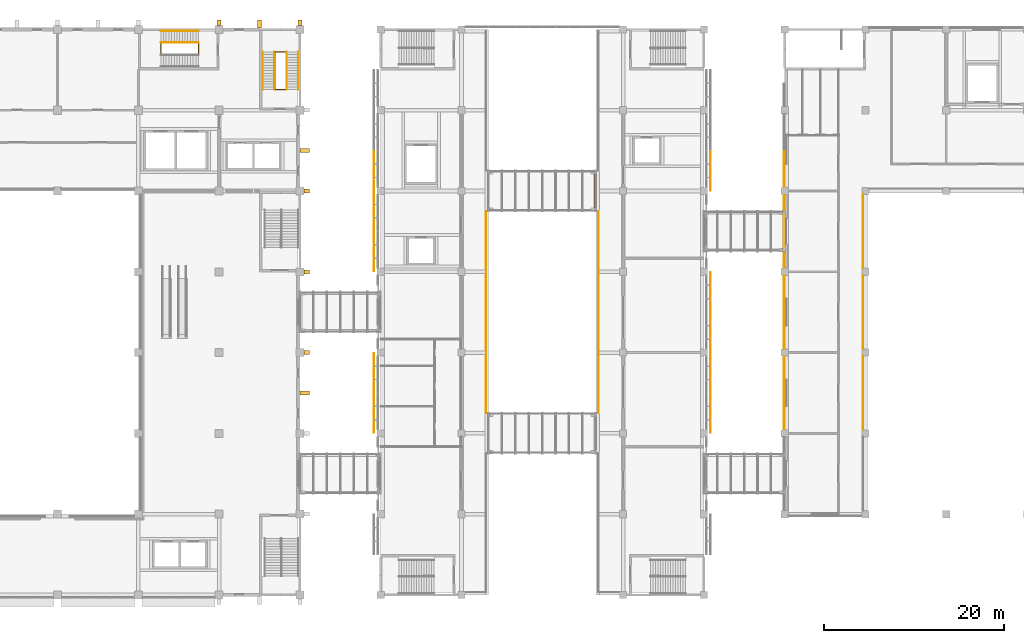
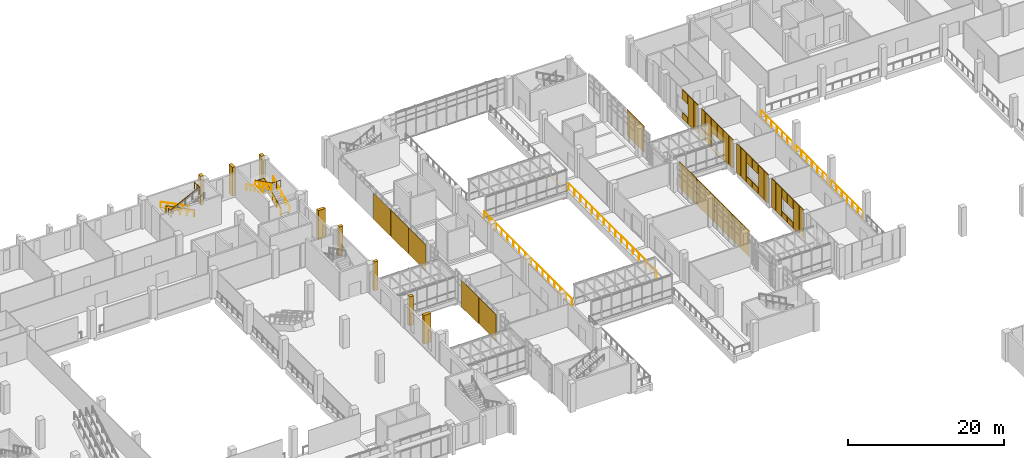
# One storey, part 82 of 88: 46 coverings, 13 railings.
"""IFC4 building model written with IfcOpenShell, lengths in metres."""

from ifc_helpers import new_model, si_unit, direction, frame, origin, origin_2d, place, context, subcontext, project, spatial, rectangle, circle, extrude, material, layer, layer_set, type_object, element, save


model = new_model("IFC4")

# Units and contexts
model_context = context("Model", 3, precision=1e-05, world=origin(), true_north=direction((0.0, 1.0)))
body_context = subcontext(model_context, "Body", "Model", "MODEL_VIEW")
ifc_project = project(units=[si_unit("LENGTHUNIT", "METRE"), si_unit("AREAUNIT", "SQUARE_METRE"), si_unit("VOLUMEUNIT", "CUBIC_METRE"), si_unit("PLANEANGLEUNIT", "RADIAN"), si_unit("MASSUNIT", "GRAM", prefix="KILO")], contexts=[model_context])

# Site, building, storey
site_placement = place(None, origin())
site = spatial("IfcSite", under=ifc_project, at=site_placement, CompositionType="ELEMENT")
building_placement = place(site_placement, origin())
building = spatial("IfcBuilding", under=site, at=building_placement, Name="Guidao Yard Department Store", CompositionType="ELEMENT")
storey_placement = place(building_placement, frame((0.0, 0.0, 6.0)))
storey = spatial("IfcBuildingStorey", under=building, at=storey_placement, Name="L01", CompositionType="ELEMENT", Elevation=6.0)

# Coverings
ifc_material_1 = material(Name="Stainless steel 316", Category="steel")
ifc_layer_1 = layer(ifc_material_1, 0.010009765625)
ifc_layer_set_1 = layer_set([ifc_layer_1], Name="Bridge joint cover JC1 stainless steel 10 x 335")
covering_type_1 = type_object("IfcCoveringType", Name="Bridge joint cover JC1 stainless steel 10 x 335", PredefinedType="FLOORING", material=ifc_layer_set_1)
for number, where, z_axis, x_axis, name in (
    (1, (116.9326171875, 85.5, 0.0), (0.0, 0.0, 1.0), (1.0, 0.0, 0.0), "Bridge joint cover plate BR07"),
    (2, (95.9326171875, 90.0, 0.0), (0.0, 0.0, 1.0), (1.0, 0.0, 0.0), "Bridge joint cover plate BR10"),
):
    element("IfcCovering", number, at=place(storey_placement, frame(where, z_axis=z_axis, x_axis=x_axis)), inside=storey, type_object=covering_type_1, Name=name, PredefinedType="FLOORING", context=body_context, shape_type="SweptSolid", body=[
        extrude(rectangle(XDim=0.3349609375, YDim=4.5, at=origin_2d()), origin(), (0.0, 0.0, 1.0), 0.010009765625),
    ])
ifc_material_2 = material(Name="Clinker brick", Category="masonry")
ifc_layer_2 = layer(ifc_material_2, 0.10009765625)
ifc_layer_set_2 = layer_set([ifc_layer_2], Name="Clinker brick panel BR1 on rainscreen")
covering_type_2 = type_object("IfcCoveringType", Name="Clinker brick panel BR1 on rainscreen", PredefinedType="CLADDING", material=ifc_layer_set_2)
covering_1_placement = place(storey_placement, frame((116.949951171875, 63.949951171875, 0.0), z_axis=(0.0, 0.0, 1.0), x_axis=(0.0, 1.0, 0.0)))
element("IfcCovering", 3, at=covering_1_placement, inside=storey, type_object=covering_type_2, Name="Clinker brick panel", PredefinedType="CLADDING", context=body_context, shape_type="SweptSolid", body=[
    extrude(rectangle(XDim=1.0, YDim=0.10009765625, at=origin_2d()), origin(), (0.0, 0.0, 1.0), 4.5),
])
covering_2_placement = place(storey_placement, frame((116.949951171875, 65.25, 0.0), z_axis=(0.0, 0.0, 1.0), x_axis=(0.0, 1.0, 0.0)))
element("IfcCovering", 4, at=covering_2_placement, inside=storey, type_object=covering_type_2, Name="Clinker brick panel", PredefinedType="CLADDING", context=body_context, shape_type="SweptSolid", body=[
    extrude(rectangle(XDim=1.39990234375, YDim=0.10009765625, at=origin_2d()), origin(), (0.0, 0.0, 1.0), 4.5),
])
covering_3_placement = place(storey_placement, frame((116.949951171875, 66.75, 0.0), z_axis=(0.0, 0.0, 1.0), x_axis=(0.0, 1.0, 0.0)))
element("IfcCovering", 5, at=covering_3_placement, inside=storey, type_object=covering_type_2, Name="Clinker brick panel", PredefinedType="CLADDING", context=body_context, shape_type="SweptSolid", body=[
    extrude(rectangle(XDim=1.39990234375, YDim=0.10009765625, at=origin_2d()), origin(), (0.0, 0.0, 1.0), 0.89990234375),
])
covering_4_placement = place(storey_placement, frame((116.949951171875, 66.75, 3.0), z_axis=(0.0, 0.0, 1.0), x_axis=(0.0, 1.0, 0.0)))
element("IfcCovering", 6, at=covering_4_placement, inside=storey, type_object=covering_type_2, Name="Clinker brick panel", PredefinedType="CLADDING", context=body_context, shape_type="SweptSolid", body=[
    extrude(rectangle(XDim=1.39990234375, YDim=0.10009765625, at=origin_2d()), origin(), (0.0, 0.0, 1.0), 1.5),
])
covering_5_placement = place(storey_placement, frame((116.949951171875, 68.25, 0.0), z_axis=(0.0, 0.0, 1.0), x_axis=(0.0, 1.0, 0.0)))
element("IfcCovering", 7, at=covering_5_placement, inside=storey, type_object=covering_type_2, Name="Clinker brick panel", PredefinedType="CLADDING", context=body_context, shape_type="SweptSolid", body=[
    extrude(rectangle(XDim=1.39990234375, YDim=0.10009765625, at=origin_2d()), origin(), (0.0, 0.0, 1.0), 0.89990234375),
])
covering_6_placement = place(storey_placement, frame((116.949951171875, 68.25, 3.0), z_axis=(0.0, 0.0, 1.0), x_axis=(0.0, 1.0, 0.0)))
element("IfcCovering", 8, at=covering_6_placement, inside=storey, type_object=covering_type_2, Name="Clinker brick panel", PredefinedType="CLADDING", context=body_context, shape_type="SweptSolid", body=[
    extrude(rectangle(XDim=1.39990234375, YDim=0.10009765625, at=origin_2d()), origin(), (0.0, 0.0, 1.0), 1.5),
])
covering_7_placement = place(storey_placement, frame((116.949951171875, 69.75, 0.0), z_axis=(0.0, 0.0, 1.0), x_axis=(0.0, 1.0, 0.0)))
element("IfcCovering", 9, at=covering_7_placement, inside=storey, type_object=covering_type_2, Name="Clinker brick panel", PredefinedType="CLADDING", context=body_context, shape_type="SweptSolid", body=[
    extrude(rectangle(XDim=1.39990234375, YDim=0.10009765625, at=origin_2d()), origin(), (0.0, 0.0, 1.0), 4.5),
])
for number, where, z_axis, x_axis, name in (
    (10, (116.949951171875, 71.050048828125, 0.0), (0.0, 0.0, 1.0), (0.0, 1.0, 0.0), "Clinker brick panel"),
    (11, (116.949951171875, 72.949951171875, 0.0), (0.0, 0.0, 1.0), (0.0, 1.0, 0.0), "Clinker brick panel"),
):
    element("IfcCovering", number, at=place(storey_placement, frame(where, z_axis=z_axis, x_axis=x_axis)), inside=storey, type_object=covering_type_2, Name=name, PredefinedType="CLADDING", context=body_context, shape_type="SweptSolid", body=[
        extrude(rectangle(XDim=1.0, YDim=0.10009765625, at=origin_2d()), origin(), (0.0, 0.0, 1.0), 4.5),
    ])
covering_8_placement = place(storey_placement, frame((116.949951171875, 74.25, 0.0), z_axis=(0.0, 0.0, 1.0), x_axis=(0.0, 1.0, 0.0)))
element("IfcCovering", 12, at=covering_8_placement, inside=storey, type_object=covering_type_2, Name="Clinker brick panel", PredefinedType="CLADDING", context=body_context, shape_type="SweptSolid", body=[
    extrude(rectangle(XDim=1.39990234375, YDim=0.10009765625, at=origin_2d()), origin(), (0.0, 0.0, 1.0), 4.5),
])
covering_9_placement = place(storey_placement, frame((116.949951171875, 75.75, 0.0), z_axis=(0.0, 0.0, 1.0), x_axis=(0.0, 1.0, 0.0)))
element("IfcCovering", 13, at=covering_9_placement, inside=storey, type_object=covering_type_2, Name="Clinker brick panel", PredefinedType="CLADDING", context=body_context, shape_type="SweptSolid", body=[
    extrude(rectangle(XDim=1.39990234375, YDim=0.10009765625, at=origin_2d()), origin(), (0.0, 0.0, 1.0), 0.89990234375),
])
covering_10_placement = place(storey_placement, frame((116.949951171875, 75.75, 3.0), z_axis=(0.0, 0.0, 1.0), x_axis=(0.0, 1.0, 0.0)))
element("IfcCovering", 14, at=covering_10_placement, inside=storey, type_object=covering_type_2, Name="Clinker brick panel", PredefinedType="CLADDING", context=body_context, shape_type="SweptSolid", body=[
    extrude(rectangle(XDim=1.39990234375, YDim=0.10009765625, at=origin_2d()), origin(), (0.0, 0.0, 1.0), 1.5),
])
covering_11_placement = place(storey_placement, frame((116.949951171875, 77.25, 0.0), z_axis=(0.0, 0.0, 1.0), x_axis=(0.0, 1.0, 0.0)))
element("IfcCovering", 15, at=covering_11_placement, inside=storey, type_object=covering_type_2, Name="Clinker brick panel", PredefinedType="CLADDING", context=body_context, shape_type="SweptSolid", body=[
    extrude(rectangle(XDim=1.39990234375, YDim=0.10009765625, at=origin_2d()), origin(), (0.0, 0.0, 1.0), 0.89990234375),
])
covering_12_placement = place(storey_placement, frame((116.949951171875, 77.25, 3.0), z_axis=(0.0, 0.0, 1.0), x_axis=(0.0, 1.0, 0.0)))
element("IfcCovering", 16, at=covering_12_placement, inside=storey, type_object=covering_type_2, Name="Clinker brick panel", PredefinedType="CLADDING", context=body_context, shape_type="SweptSolid", body=[
    extrude(rectangle(XDim=1.39990234375, YDim=0.10009765625, at=origin_2d()), origin(), (0.0, 0.0, 1.0), 1.5),
])
covering_13_placement = place(storey_placement, frame((116.949951171875, 78.75, 0.0), z_axis=(0.0, 0.0, 1.0), x_axis=(0.0, 1.0, 0.0)))
element("IfcCovering", 17, at=covering_13_placement, inside=storey, type_object=covering_type_2, Name="Clinker brick panel", PredefinedType="CLADDING", context=body_context, shape_type="SweptSolid", body=[
    extrude(rectangle(XDim=1.39990234375, YDim=0.10009765625, at=origin_2d()), origin(), (0.0, 0.0, 1.0), 4.5),
])
for number, where, z_axis, x_axis, name in (
    (18, (116.949951171875, 80.050048828125, 0.0), (0.0, 0.0, 1.0), (0.0, 1.0, 0.0), "Clinker brick panel"),
    (19, (116.949951171875, 81.949951171875, 0.0), (0.0, 0.0, 1.0), (0.0, 1.0, 0.0), "Clinker brick panel"),
):
    element("IfcCovering", number, at=place(storey_placement, frame(where, z_axis=z_axis, x_axis=x_axis)), inside=storey, type_object=covering_type_2, Name=name, PredefinedType="CLADDING", context=body_context, shape_type="SweptSolid", body=[
        extrude(rectangle(XDim=1.0, YDim=0.10009765625, at=origin_2d()), origin(), (0.0, 0.0, 1.0), 4.5),
    ])
covering_14_placement = place(storey_placement, frame((116.949951171875, 83.25, 0.0), z_axis=(0.0, 0.0, 1.0), x_axis=(0.0, 1.0, 0.0)))
element("IfcCovering", 20, at=covering_14_placement, inside=storey, type_object=covering_type_2, Name="Clinker brick panel", PredefinedType="CLADDING", context=body_context, shape_type="SweptSolid", body=[
    extrude(rectangle(XDim=1.39990234375, YDim=0.10009765625, at=origin_2d()), origin(), (0.0, 0.0, 1.0), 4.5),
])
for number, where, z_axis, x_axis, name in (
    (21, (116.949951171875, 84.75, 2.39990234375), (0.0, 0.0, 1.0), (0.0, 1.0, 0.0), "Clinker brick panel"),
    (22, (116.949951171875, 86.25, 2.39990234375), (0.0, 0.0, 1.0), (0.0, 1.0, 0.0), "Clinker brick panel"),
):
    element("IfcCovering", number, at=place(storey_placement, frame(where, z_axis=z_axis, x_axis=x_axis)), inside=storey, type_object=covering_type_2, Name=name, PredefinedType="CLADDING", context=body_context, shape_type="SweptSolid", body=[
        extrude(rectangle(XDim=1.39990234375, YDim=0.10009765625, at=origin_2d()), origin(), (0.0, 0.0, 1.0), 2.10009765625),
    ])
covering_15_placement = place(storey_placement, frame((116.949951171875, 87.75, 0.0), z_axis=(0.0, 0.0, 1.0), x_axis=(0.0, 1.0, 0.0)))
element("IfcCovering", 23, at=covering_15_placement, inside=storey, type_object=covering_type_2, Name="Clinker brick panel", PredefinedType="CLADDING", context=body_context, shape_type="SweptSolid", body=[
    extrude(rectangle(XDim=1.39990234375, YDim=0.10009765625, at=origin_2d()), origin(), (0.0, 0.0, 1.0), 4.5),
])
for number, where, z_axis, x_axis, name in (
    (24, (116.949951171875, 89.050048828125, 0.0), (0.0, 0.0, 1.0), (0.0, 1.0, 0.0), "Clinker brick panel"),
    (25, (116.949951171875, 90.949951171875, 0.0), (0.0, 0.0, 1.0), (0.0, 1.0, 0.0), "Clinker brick panel"),
):
    element("IfcCovering", number, at=place(storey_placement, frame(where, z_axis=z_axis, x_axis=x_axis)), inside=storey, type_object=covering_type_2, Name=name, PredefinedType="CLADDING", context=body_context, shape_type="SweptSolid", body=[
        extrude(rectangle(XDim=1.0, YDim=0.10009765625, at=origin_2d()), origin(), (0.0, 0.0, 1.0), 4.5),
    ])
covering_16_placement = place(storey_placement, frame((116.949951171875, 92.25, 0.0), z_axis=(0.0, 0.0, 1.0), x_axis=(0.0, 1.0, 0.0)))
element("IfcCovering", 26, at=covering_16_placement, inside=storey, type_object=covering_type_2, Name="Clinker brick panel", PredefinedType="CLADDING", context=body_context, shape_type="SweptSolid", body=[
    extrude(rectangle(XDim=1.39990234375, YDim=0.10009765625, at=origin_2d()), origin(), (0.0, 0.0, 1.0), 4.5),
])
covering_17_placement = place(storey_placement, frame((116.949951171875, 93.75, 0.0), z_axis=(0.0, 0.0, 1.0), x_axis=(0.0, 1.0, 0.0)))
element("IfcCovering", 27, at=covering_17_placement, inside=storey, type_object=covering_type_2, Name="Clinker brick panel", PredefinedType="CLADDING", context=body_context, shape_type="SweptSolid", body=[
    extrude(rectangle(XDim=1.39990234375, YDim=0.10009765625, at=origin_2d()), origin(), (0.0, 0.0, 1.0), 0.89990234375),
])
covering_18_placement = place(storey_placement, frame((116.949951171875, 93.75, 3.0), z_axis=(0.0, 0.0, 1.0), x_axis=(0.0, 1.0, 0.0)))
element("IfcCovering", 28, at=covering_18_placement, inside=storey, type_object=covering_type_2, Name="Clinker brick panel", PredefinedType="CLADDING", context=body_context, shape_type="SweptSolid", body=[
    extrude(rectangle(XDim=1.39990234375, YDim=0.10009765625, at=origin_2d()), origin(), (0.0, 0.0, 1.0), 1.5),
])

# Railings
ifc_material_3 = material(Name="Steel Q235", Category="steel")
railing_type_1 = type_object("IfcRailingType", Name="Guard steel balustrade 1100", PredefinedType="GUARDRAIL", material=ifc_material_3)
railing_1_placement = place(storey_placement, frame((61.47509765625, 101.300048828125, 0.14990234375)))
element("IfcRailing", 29, at=railing_1_placement, inside=storey, type_object=railing_type_1, Name="Stair A6 guard L01 6", PredefinedType="GUARDRAIL", context=body_context, shape_type="SweptSolid", body=[
    extrude(circle(Radius=0.02392578125, at=origin_2d()), frame((0.0, 0.0, 1.076171875), z_axis=(0.0, 0.894416792377, 0.447234392142), x_axis=(-1.0, 0.0, 0.0)), (0.0, 0.0, 1.0), 4.69580078125),
    extrude(circle(Radius=0.02392578125, at=origin_2d()), frame((0.0, 4.199951171875, 3.17626953125), z_axis=(-1.0, 0.0, 0.0), x_axis=(0.0, -1.0, 0.0)), (0.0, 0.0, 1.0), 1.275146484375),
    extrude(circle(Radius=0.02392578125, at=origin_2d()), frame((-1.275146484375, 4.199951171875, 3.17626953125), z_axis=(0.0, 0.0, 1.0), x_axis=(1.0, 0.0, 0.0)), (0.0, 0.0, 1.0), 0.14990234375),
    extrude(circle(Radius=0.02392578125, at=origin_2d()), frame((-1.275146484375, 4.199951171875, 3.326171875), z_axis=(0.0, -0.894416792377, 0.447234392142), x_axis=(1.0, 0.0, 0.0)), (0.0, 0.0, 1.0), 4.69580078125),
    extrude(circle(Radius=0.02392578125, at=origin_2d()), frame((-1.275146484375, 0.0, 5.42626953125), z_axis=(1.0, 0.0, 0.0), x_axis=(0.0, 1.0, 0.0)), (0.0, 0.0, 1.0), 1.275146484375),
    extrude(circle(Radius=0.02099609375, at=origin_2d()), origin(), (0.0, 0.0, 1.0), 1.052001953125),
    extrude(circle(Radius=0.02099609375, at=origin_2d()), frame((0.0, 1.050048828125, 0.52490234375)), (0.0, 0.0, 1.0), 1.052001953125),
    extrude(circle(Radius=0.02099609375, at=origin_2d()), frame((0.0, 2.10009765625, 1.050048828125)), (0.0, 0.0, 1.0), 1.052001953125),
    extrude(circle(Radius=0.02099609375, at=origin_2d()), frame((0.0, 3.14990234375, 1.5751953125)), (0.0, 0.0, 1.0), 1.052001953125),
    extrude(circle(Radius=0.02099609375, at=origin_2d()), frame((0.0, 4.199951171875, 2.10009765625)), (0.0, 0.0, 1.0), 1.052001953125),
    extrude(circle(Radius=0.02099609375, at=origin_2d()), frame((-0.6376953125, 4.199951171875, 2.10009765625)), (0.0, 0.0, 1.0), 1.052001953125),
    extrude(circle(Radius=0.02099609375, at=origin_2d()), frame((-1.275146484375, 4.199951171875, 2.10009765625)), (0.0, 0.0, 1.0), 1.052001953125),
    extrude(circle(Radius=0.02099609375, at=origin_2d()), frame((-1.275146484375, 4.199951171875, 2.25)), (0.0, 0.0, 1.0), 1.052001953125),
    extrude(circle(Radius=0.02099609375, at=origin_2d()), frame((-1.275146484375, 3.14990234375, 2.77490234375)), (0.0, 0.0, 1.0), 1.052001953125),
    extrude(circle(Radius=0.02099609375, at=origin_2d()), frame((-1.275146484375, 2.10009765625, 3.300048828125)), (0.0, 0.0, 1.0), 1.052001953125),
    extrude(circle(Radius=0.02099609375, at=origin_2d()), frame((-1.275146484375, 1.050048828125, 3.8251953125)), (0.0, 0.0, 1.0), 1.052001953125),
    extrude(circle(Radius=0.02099609375, at=origin_2d()), frame((-1.275146484375, 0.0, 4.35009765625)), (0.0, 0.0, 1.0), 1.052001953125),
    extrude(circle(Radius=0.02099609375, at=origin_2d()), frame((-0.6376953125, 0.0, 4.35009765625)), (0.0, 0.0, 1.0), 1.052001953125),
    extrude(circle(Radius=0.02099609375, at=origin_2d()), frame((0.0, 0.0, 4.35009765625)), (0.0, 0.0, 1.0), 1.052001953125),
])
railing_2_placement = place(storey_placement, frame((51.699951171875, 106.47509765625, 0.14990234375)))
element("IfcRailing", 30, at=railing_2_placement, inside=storey, type_object=railing_type_1, Name="Stair A7 guard L01 7", PredefinedType="GUARDRAIL", context=body_context, shape_type="SweptSolid", body=[
    extrude(circle(Radius=0.02392578125, at=origin_2d()), frame((0.0, 0.0, 1.076171875), z_axis=(-0.894416792377, 0.0, 0.447234392142), x_axis=(0.0, -1.0, 0.0)), (0.0, 0.0, 1.0), 4.69580078125),
    extrude(circle(Radius=0.02392578125, at=origin_2d()), frame((-4.199951171875, 0.0, 3.17626953125), z_axis=(0.0, -1.0, 0.0), x_axis=(1.0, 0.0, 0.0)), (0.0, 0.0, 1.0), 1.275146484375),
    extrude(circle(Radius=0.02392578125, at=origin_2d()), frame((-4.199951171875, -1.275146484375, 3.17626953125), z_axis=(0.0, 0.0, 1.0), x_axis=(1.0, 0.0, 0.0)), (0.0, 0.0, 1.0), 0.14990234375),
    extrude(circle(Radius=0.02392578125, at=origin_2d()), frame((-4.199951171875, -1.275146484375, 3.326171875), z_axis=(0.894416792377, 0.0, 0.447234392142), x_axis=(0.0, 1.0, 0.0)), (0.0, 0.0, 1.0), 4.69580078125),
    extrude(circle(Radius=0.02392578125, at=origin_2d()), frame((0.0, -1.275146484375, 5.42626953125), z_axis=(0.0, 1.0, 0.0), x_axis=(-1.0, 0.0, 0.0)), (0.0, 0.0, 1.0), 1.275146484375),
    extrude(circle(Radius=0.02099609375, at=origin_2d()), origin(), (0.0, 0.0, 1.0), 1.052001953125),
    extrude(circle(Radius=0.02099609375, at=origin_2d()), frame((-1.050048828125, 0.0, 0.52490234375)), (0.0, 0.0, 1.0), 1.052001953125),
    extrude(circle(Radius=0.02099609375, at=origin_2d()), frame((-2.10009765625, 0.0, 1.050048828125)), (0.0, 0.0, 1.0), 1.052001953125),
    extrude(circle(Radius=0.02099609375, at=origin_2d()), frame((-3.14990234375, 0.0, 1.5751953125)), (0.0, 0.0, 1.0), 1.052001953125),
    extrude(circle(Radius=0.02099609375, at=origin_2d()), frame((-4.199951171875, 0.0, 2.10009765625)), (0.0, 0.0, 1.0), 1.052001953125),
    extrude(circle(Radius=0.02099609375, at=origin_2d()), frame((-4.199951171875, -0.6376953125, 2.10009765625)), (0.0, 0.0, 1.0), 1.052001953125),
    extrude(circle(Radius=0.02099609375, at=origin_2d()), frame((-4.199951171875, -1.275146484375, 2.10009765625)), (0.0, 0.0, 1.0), 1.052001953125),
    extrude(circle(Radius=0.02099609375, at=origin_2d()), frame((-4.199951171875, -1.275146484375, 2.25)), (0.0, 0.0, 1.0), 1.052001953125),
    extrude(circle(Radius=0.02099609375, at=origin_2d()), frame((-3.14990234375, -1.275146484375, 2.77490234375)), (0.0, 0.0, 1.0), 1.052001953125),
    extrude(circle(Radius=0.02099609375, at=origin_2d()), frame((-2.10009765625, -1.275146484375, 3.300048828125)), (0.0, 0.0, 1.0), 1.052001953125),
    extrude(circle(Radius=0.02099609375, at=origin_2d()), frame((-1.050048828125, -1.275146484375, 3.8251953125)), (0.0, 0.0, 1.0), 1.052001953125),
    extrude(circle(Radius=0.02099609375, at=origin_2d()), frame((0.0, -1.275146484375, 4.35009765625)), (0.0, 0.0, 1.0), 1.052001953125),
    extrude(circle(Radius=0.02099609375, at=origin_2d()), frame((0.0, -0.6376953125, 4.35009765625)), (0.0, 0.0, 1.0), 1.052001953125),
    extrude(circle(Radius=0.02099609375, at=origin_2d()), frame((0.0, 0.0, 4.35009765625)), (0.0, 0.0, 1.0), 1.052001953125),
])
railing_3_placement = place(storey_placement, frame((83.75, 65.25, 0.0)))
element("IfcRailing", 31, at=railing_3_placement, inside=storey, type_object=railing_type_1, Name="Guard gallery W2 L01", PredefinedType="GUARDRAIL", context=body_context, shape_type="SweptSolid", body=[
    extrude(circle(Radius=0.02392578125, at=origin_2d()), frame((0.0, 0.0, 1.076171875), z_axis=(0.0, 1.0, 0.0), x_axis=(-1.0, 0.0, 0.0)), (0.0, 0.0, 1.0), 22.5),
    extrude(circle(Radius=0.02099609375, at=origin_2d()), origin(), (0.0, 0.0, 1.0), 1.052001953125),
    extrude(circle(Radius=0.02099609375, at=origin_2d()), frame((0.0, 1.5, 0.0)), (0.0, 0.0, 1.0), 1.052001953125),
    extrude(circle(Radius=0.02099609375, at=origin_2d()), frame((0.0, 3.0, 0.0)), (0.0, 0.0, 1.0), 1.052001953125),
    extrude(circle(Radius=0.02099609375, at=origin_2d()), frame((0.0, 4.5, 0.0)), (0.0, 0.0, 1.0), 1.052001953125),
    extrude(circle(Radius=0.02099609375, at=origin_2d()), frame((0.0, 6.0, 0.0)), (0.0, 0.0, 1.0), 1.052001953125),
    extrude(circle(Radius=0.02099609375, at=origin_2d()), frame((0.0, 7.5, 0.0)), (0.0, 0.0, 1.0), 1.052001953125),
    extrude(circle(Radius=0.02099609375, at=origin_2d()), frame((0.0, 9.0, 0.0)), (0.0, 0.0, 1.0), 1.052001953125),
    extrude(circle(Radius=0.02099609375, at=origin_2d()), frame((0.0, 10.5, 0.0)), (0.0, 0.0, 1.0), 1.052001953125),
    extrude(circle(Radius=0.02099609375, at=origin_2d()), frame((0.0, 12.0, 0.0)), (0.0, 0.0, 1.0), 1.052001953125),
    extrude(circle(Radius=0.02099609375, at=origin_2d()), frame((0.0, 13.5, 0.0)), (0.0, 0.0, 1.0), 1.052001953125),
    extrude(circle(Radius=0.02099609375, at=origin_2d()), frame((0.0, 15.0, 0.0)), (0.0, 0.0, 1.0), 1.052001953125),
    extrude(circle(Radius=0.02099609375, at=origin_2d()), frame((0.0, 16.5, 0.0)), (0.0, 0.0, 1.0), 1.052001953125),
    extrude(circle(Radius=0.02099609375, at=origin_2d()), frame((0.0, 18.0, 0.0)), (0.0, 0.0, 1.0), 1.052001953125),
    extrude(circle(Radius=0.02099609375, at=origin_2d()), frame((0.0, 19.5, 0.0)), (0.0, 0.0, 1.0), 1.052001953125),
    extrude(circle(Radius=0.02099609375, at=origin_2d()), frame((0.0, 21.0, 0.0)), (0.0, 0.0, 1.0), 1.052001953125),
    extrude(circle(Radius=0.02099609375, at=origin_2d()), frame((0.0, 22.5, 0.0)), (0.0, 0.0, 1.0), 1.052001953125),
])
railing_4_placement = place(storey_placement, frame((96.25, 65.25, 0.0)))
element("IfcRailing", 32, at=railing_4_placement, inside=storey, type_object=railing_type_1, Name="Guard gallery E2 L01", PredefinedType="GUARDRAIL", context=body_context, shape_type="SweptSolid", body=[
    extrude(circle(Radius=0.02392578125, at=origin_2d()), frame((0.0, 0.0, 1.076171875), z_axis=(0.0, 1.0, 0.0), x_axis=(-1.0, 0.0, 0.0)), (0.0, 0.0, 1.0), 22.5),
    extrude(circle(Radius=0.02099609375, at=origin_2d()), origin(), (0.0, 0.0, 1.0), 1.052001953125),
    extrude(circle(Radius=0.02099609375, at=origin_2d()), frame((0.0, 1.5, 0.0)), (0.0, 0.0, 1.0), 1.052001953125),
    extrude(circle(Radius=0.02099609375, at=origin_2d()), frame((0.0, 3.0, 0.0)), (0.0, 0.0, 1.0), 1.052001953125),
    extrude(circle(Radius=0.02099609375, at=origin_2d()), frame((0.0, 4.5, 0.0)), (0.0, 0.0, 1.0), 1.052001953125),
    extrude(circle(Radius=0.02099609375, at=origin_2d()), frame((0.0, 6.0, 0.0)), (0.0, 0.0, 1.0), 1.052001953125),
    extrude(circle(Radius=0.02099609375, at=origin_2d()), frame((0.0, 7.5, 0.0)), (0.0, 0.0, 1.0), 1.052001953125),
    extrude(circle(Radius=0.02099609375, at=origin_2d()), frame((0.0, 9.0, 0.0)), (0.0, 0.0, 1.0), 1.052001953125),
    extrude(circle(Radius=0.02099609375, at=origin_2d()), frame((0.0, 10.5, 0.0)), (0.0, 0.0, 1.0), 1.052001953125),
    extrude(circle(Radius=0.02099609375, at=origin_2d()), frame((0.0, 12.0, 0.0)), (0.0, 0.0, 1.0), 1.052001953125),
    extrude(circle(Radius=0.02099609375, at=origin_2d()), frame((0.0, 13.5, 0.0)), (0.0, 0.0, 1.0), 1.052001953125),
    extrude(circle(Radius=0.02099609375, at=origin_2d()), frame((0.0, 15.0, 0.0)), (0.0, 0.0, 1.0), 1.052001953125),
    extrude(circle(Radius=0.02099609375, at=origin_2d()), frame((0.0, 16.5, 0.0)), (0.0, 0.0, 1.0), 1.052001953125),
    extrude(circle(Radius=0.02099609375, at=origin_2d()), frame((0.0, 18.0, 0.0)), (0.0, 0.0, 1.0), 1.052001953125),
    extrude(circle(Radius=0.02099609375, at=origin_2d()), frame((0.0, 19.5, 0.0)), (0.0, 0.0, 1.0), 1.052001953125),
    extrude(circle(Radius=0.02099609375, at=origin_2d()), frame((0.0, 21.0, 0.0)), (0.0, 0.0, 1.0), 1.052001953125),
    extrude(circle(Radius=0.02099609375, at=origin_2d()), frame((0.0, 22.5, 0.0)), (0.0, 0.0, 1.0), 1.052001953125),
])
for number, where, name in (
    (33, (125.75, 63.39990234375, 0.0), "Guard hall W L01"),
    (34, (125.75, 72.39990234375, 0.0), "Guard hall W L01"),
    (35, (125.75, 81.39990234375, 0.0), "Guard hall W L01"),
):
    element("IfcRailing", number, at=place(storey_placement, frame(where)), inside=storey, type_object=railing_type_1, Name=name, PredefinedType="GUARDRAIL", context=body_context, shape_type="SweptSolid", body=[
        extrude(circle(Radius=0.02392578125, at=origin_2d()), frame((0.0, 0.0, 1.076171875), z_axis=(0.0, 1.0, 0.0), x_axis=(-1.0, 0.0, 0.0)), (0.0, 0.0, 1.0), 8.2001953125),
        extrude(circle(Radius=0.02099609375, at=origin_2d()), origin(), (0.0, 0.0, 1.0), 1.052001953125),
        extrude(circle(Radius=0.02099609375, at=origin_2d()), frame((0.0, 1.36669921875, 0.0)), (0.0, 0.0, 1.0), 1.052001953125),
        extrude(circle(Radius=0.02099609375, at=origin_2d()), frame((0.0, 2.7333984375, 0.0)), (0.0, 0.0, 1.0), 1.052001953125),
        extrude(circle(Radius=0.02099609375, at=origin_2d()), frame((0.0, 4.10009765625, 0.0)), (0.0, 0.0, 1.0), 1.052001953125),
        extrude(circle(Radius=0.02099609375, at=origin_2d()), frame((0.0, 5.466796875, 0.0)), (0.0, 0.0, 1.0), 1.052001953125),
        extrude(circle(Radius=0.02099609375, at=origin_2d()), frame((0.0, 6.83349609375, 0.0)), (0.0, 0.0, 1.0), 1.052001953125),
        extrude(circle(Radius=0.02099609375, at=origin_2d()), frame((0.0, 8.2001953125, 0.0)), (0.0, 0.0, 1.0), 1.052001953125),
    ])
ifc_material_4 = material(Name="Steel Q235", Category="steel")
railing_type_2 = type_object("IfcRailingType", Name="Handrail steel tube 48", PredefinedType="HANDRAIL", material=ifc_material_4)
for number, where, name in (
    (36, (62.81494140625, 101.300048828125, 0.14990234375), "Stair A6 hand rail L01 21"),
    (37, (61.534912109375, 101.300048828125, 0.14990234375), "Stair A6 hand rail L01 22"),
):
    element("IfcRailing", number, at=place(storey_placement, frame(where)), inside=storey, type_object=railing_type_2, Name=name, PredefinedType="HANDRAIL", context=body_context, shape_type="SweptSolid", body=[
        extrude(circle(Radius=0.02392578125, at=origin_2d()), frame((0.0, 0.0, 0.8759765625), z_axis=(0.0, 0.894416792377, 0.447234392142), x_axis=(-1.0, 0.0, 0.0)), (0.0, 0.0, 1.0), 4.69580078125),
        extrude(circle(Radius=0.02099609375, at=origin_2d()), origin(), (0.0, 0.0, 1.0), 0.851806640625),
        extrude(circle(Radius=0.02099609375, at=origin_2d()), frame((0.0, 1.050048828125, 0.52490234375)), (0.0, 0.0, 1.0), 0.851806640625),
        extrude(circle(Radius=0.02099609375, at=origin_2d()), frame((0.0, 2.10009765625, 1.050048828125)), (0.0, 0.0, 1.0), 0.851806640625),
        extrude(circle(Radius=0.02099609375, at=origin_2d()), frame((0.0, 3.14990234375, 1.5751953125)), (0.0, 0.0, 1.0), 0.851806640625),
        extrude(circle(Radius=0.02099609375, at=origin_2d()), frame((0.0, 4.199951171875, 2.10009765625)), (0.0, 0.0, 1.0), 0.851806640625),
    ])
for number, where, name in (
    (38, (60.139892578125, 105.5, 2.39990234375), "Stair A6 hand rail L01 23"),
    (39, (58.860107421875, 105.5, 2.39990234375), "Stair A6 hand rail L01 24"),
):
    element("IfcRailing", number, at=place(storey_placement, frame(where)), inside=storey, type_object=railing_type_2, Name=name, PredefinedType="HANDRAIL", context=body_context, shape_type="SweptSolid", body=[
        extrude(circle(Radius=0.02392578125, at=origin_2d()), frame((0.0, 0.0, 0.8759765625), z_axis=(0.0, -0.894416792377, 0.447234392142), x_axis=(1.0, 0.0, 0.0)), (0.0, 0.0, 1.0), 4.69580078125),
        extrude(circle(Radius=0.02099609375, at=origin_2d()), origin(), (0.0, 0.0, 1.0), 0.851806640625),
        extrude(circle(Radius=0.02099609375, at=origin_2d()), frame((0.0, -1.050048828125, 0.52490234375)), (0.0, 0.0, 1.0), 0.851806640625),
        extrude(circle(Radius=0.02099609375, at=origin_2d()), frame((0.0, -2.10009765625, 1.050048828125)), (0.0, 0.0, 1.0), 0.851806640625),
        extrude(circle(Radius=0.02099609375, at=origin_2d()), frame((0.0, -3.14990234375, 1.5751953125)), (0.0, 0.0, 1.0), 0.851806640625),
        extrude(circle(Radius=0.02099609375, at=origin_2d()), frame((0.0, -4.199951171875, 2.10009765625)), (0.0, 0.0, 1.0), 0.851806640625),
    ])
for number, where, name in (
    (40, (51.699951171875, 107.81494140625, 0.14990234375), "Stair A7 hand rail L01 25"),
    (41, (51.699951171875, 106.534912109375, 0.14990234375), "Stair A7 hand rail L01 26"),
):
    element("IfcRailing", number, at=place(storey_placement, frame(where)), inside=storey, type_object=railing_type_2, Name=name, PredefinedType="HANDRAIL", context=body_context, shape_type="SweptSolid", body=[
        extrude(circle(Radius=0.02392578125, at=origin_2d()), frame((0.0, 0.0, 0.8759765625), z_axis=(-0.894416792377, 0.0, 0.447234392142), x_axis=(0.0, -1.0, 0.0)), (0.0, 0.0, 1.0), 4.69580078125),
        extrude(circle(Radius=0.02099609375, at=origin_2d()), origin(), (0.0, 0.0, 1.0), 0.851806640625),
        extrude(circle(Radius=0.02099609375, at=origin_2d()), frame((-1.050048828125, 0.0, 0.52490234375)), (0.0, 0.0, 1.0), 0.851806640625),
        extrude(circle(Radius=0.02099609375, at=origin_2d()), frame((-2.10009765625, 0.0, 1.050048828125)), (0.0, 0.0, 1.0), 0.851806640625),
        extrude(circle(Radius=0.02099609375, at=origin_2d()), frame((-3.14990234375, 0.0, 1.5751953125)), (0.0, 0.0, 1.0), 0.851806640625),
        extrude(circle(Radius=0.02099609375, at=origin_2d()), frame((-4.199951171875, 0.0, 2.10009765625)), (0.0, 0.0, 1.0), 0.851806640625),
    ])

# Coverings
ifc_material_5 = material(Name="Galvanised steel Q235 perforated plate", Category="steel")
ifc_layer_3 = layer(ifc_material_5, 0.0400390625)
ifc_layer_set_3 = layer_set([ifc_layer_3], Name="Perforated screen PS1 galvanised steel")
covering_type_3 = type_object("IfcCoveringType", Name="Perforated screen PS1 galvanised steel", PredefinedType="CLADDING", material=ifc_layer_set_3)
for number, where, z_axis, x_axis, name in (
    (42, (71.27001953125, 65.25, 0.199951171875), (0.0, 0.0, 1.0), (0.0, 1.0, 0.0), "Perforated screen"),
    (43, (71.27001953125, 69.75, 0.199951171875), (0.0, 0.0, 1.0), (0.0, 1.0, 0.0), "Perforated screen"),
    (44, (71.27001953125, 83.25, 0.199951171875), (0.0, 0.0, 1.0), (0.0, 1.0, 0.0), "Perforated screen"),
    (45, (71.27001953125, 87.75, 0.199951171875), (0.0, 0.0, 1.0), (0.0, 1.0, 0.0), "Perforated screen"),
    (46, (71.27001953125, 92.25, 0.199951171875), (0.0, 0.0, 1.0), (0.0, 1.0, 0.0), "Perforated screen"),
    (47, (108.72998046875, 65.25, 0.199951171875), (0.0, 0.0, 1.0), (0.0, -1.0, 0.0), "Perforated screen"),
    (48, (108.72998046875, 69.75, 0.199951171875), (0.0, 0.0, 1.0), (0.0, -1.0, 0.0), "Perforated screen"),
    (49, (108.72998046875, 74.25, 0.199951171875), (0.0, 0.0, 1.0), (0.0, -1.0, 0.0), "Perforated screen"),
    (50, (108.72998046875, 78.75, 0.199951171875), (0.0, 0.0, 1.0), (0.0, -1.0, 0.0), "Perforated screen"),
    (51, (108.72998046875, 92.25, 0.199951171875), (0.0, 0.0, 1.0), (0.0, -1.0, 0.0), "Perforated screen"),
):
    element("IfcCovering", number, at=place(storey_placement, frame(where, z_axis=z_axis, x_axis=x_axis)), inside=storey, type_object=covering_type_3, Name=name, PredefinedType="CLADDING", context=body_context, shape_type="SweptSolid", body=[
        extrude(rectangle(XDim=4.39990234375, YDim=0.0400390625, at=origin_2d()), origin(), (0.0, 0.0, 1.0), 4.10009765625),
    ])
ifc_material_6 = material(Name="Precast concrete C40/50", Category="concrete")
ifc_layer_4 = layer(ifc_material_6, 0.449951171875)
ifc_layer_set_4 = layer_set([ifc_layer_4], Name="Precast fin FN1 board-formed concrete")
covering_type_4 = type_object("IfcCoveringType", Name="Precast fin FN1 board-formed concrete", PredefinedType="CLADDING", material=ifc_layer_set_4)
covering_19_placement = place(storey_placement, frame((54.0, 108.75, 0.0), z_axis=(0.0, 0.0, 1.0), x_axis=(1.0, 0.0, 0.0)))
element("IfcCovering", 52, at=covering_19_placement, inside=storey, type_object=covering_type_4, Name="Precast fin", PredefinedType="CLADDING", context=body_context, shape_type="SweptSolid", body=[
    extrude(rectangle(XDim=0.449951171875, YDim=0.60009765625, at=origin_2d()), origin(), (0.0, 0.0, 1.0), 4.5),
])
covering_20_placement = place(storey_placement, frame((58.5, 108.60009765625, 0.0), z_axis=(0.0, 0.0, 1.0), x_axis=(1.0, 0.0, 0.0)))
element("IfcCovering", 53, at=covering_20_placement, inside=storey, type_object=covering_type_4, Name="Precast fin", PredefinedType="CLADDING", context=body_context, shape_type="SweptSolid", body=[
    extrude(rectangle(XDim=0.449951171875, YDim=0.89990234375, at=origin_2d()), origin(), (0.0, 0.0, 1.0), 4.5),
])
covering_21_placement = place(storey_placement, frame((63.0, 108.75, 0.0), z_axis=(0.0, 0.0, 1.0), x_axis=(1.0, 0.0, 0.0)))
element("IfcCovering", 54, at=covering_21_placement, inside=storey, type_object=covering_type_4, Name="Precast fin", PredefinedType="CLADDING", context=body_context, shape_type="SweptSolid", body=[
    extrude(rectangle(XDim=0.449951171875, YDim=0.60009765625, at=origin_2d()), origin(), (0.0, 0.0, 1.0), 4.5),
])
covering_22_placement = place(storey_placement, frame((63.52490234375, 67.5, 0.0), z_axis=(0.0, 0.0, 1.0), x_axis=(0.0, -1.0, 0.0)))
element("IfcCovering", 55, at=covering_22_placement, inside=storey, type_object=covering_type_4, Name="Precast fin", PredefinedType="CLADDING", context=body_context, shape_type="SweptSolid", body=[
    extrude(rectangle(XDim=0.449951171875, YDim=1.050048828125, at=origin_2d()), origin(), (0.0, 0.0, 1.0), 4.5),
])
for number, where, z_axis, x_axis, name in (
    (56, (63.75, 72.0, 0.0), (0.0, 0.0, 1.0), (0.0, -1.0, 0.0), "Precast fin"),
    (57, (63.75, 81.0, 0.0), (0.0, 0.0, 1.0), (0.0, -1.0, 0.0), "Precast fin"),
    (58, (63.75, 90.0, 0.0), (0.0, 0.0, 1.0), (0.0, -1.0, 0.0), "Precast fin"),
):
    element("IfcCovering", number, at=place(storey_placement, frame(where, z_axis=z_axis, x_axis=x_axis)), inside=storey, type_object=covering_type_4, Name=name, PredefinedType="CLADDING", context=body_context, shape_type="SweptSolid", body=[
        extrude(rectangle(XDim=0.449951171875, YDim=0.60009765625, at=origin_2d()), origin(), (0.0, 0.0, 1.0), 4.5),
    ])
covering_23_placement = place(storey_placement, frame((63.52490234375, 94.5, 0.0), z_axis=(0.0, 0.0, 1.0), x_axis=(0.0, -1.0, 0.0)))
element("IfcCovering", 59, at=covering_23_placement, inside=storey, type_object=covering_type_4, Name="Precast fin", PredefinedType="CLADDING", context=body_context, shape_type="SweptSolid", body=[
    extrude(rectangle(XDim=0.449951171875, YDim=1.050048828125, at=origin_2d()), origin(), (0.0, 0.0, 1.0), 4.5),
])

save(model, "model.ifc")
